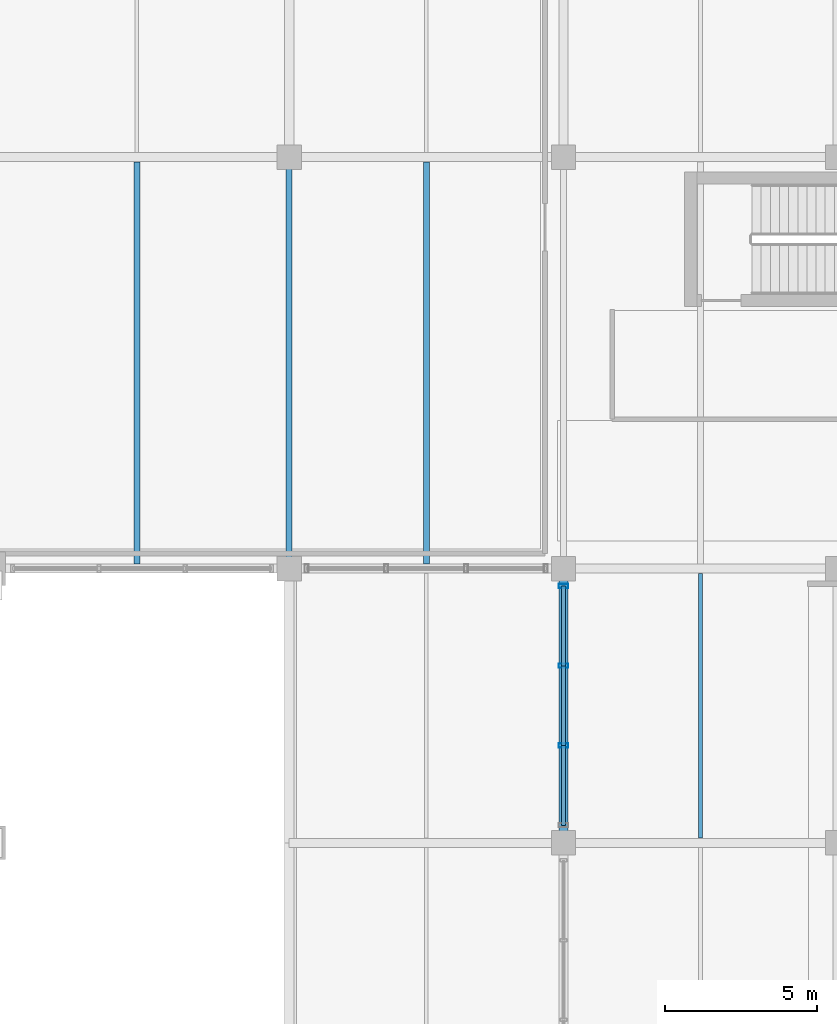
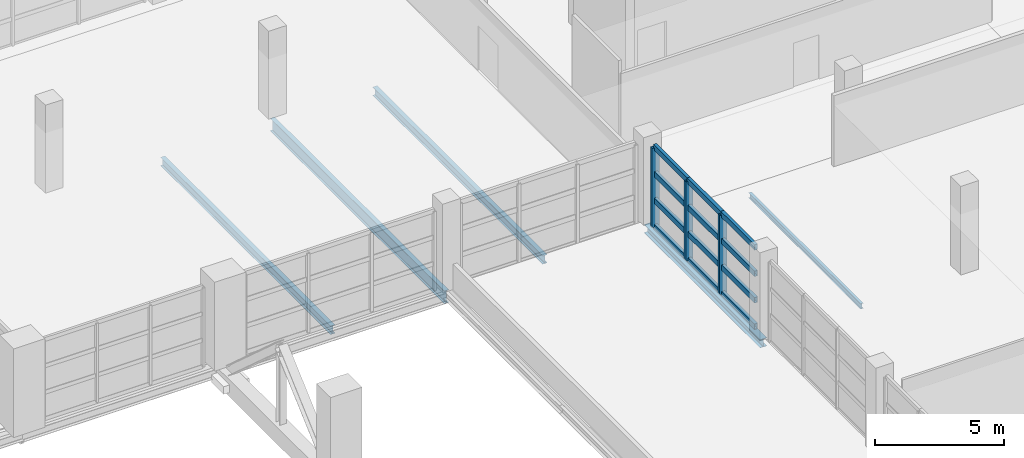
# One storey, part 87 of 136: 15 members, 5 beams, 1 element without a shape of its own.
"""IFC4 building model written with IfcOpenShell, lengths in metres."""

from ifc_helpers import new_model, si_unit, direction, frame, origin, origin_2d, place, context, subcontext, project, spatial, hollow_rectangle, i_section, extrude, material, material_profile, profile_set, type_object, element, aggregate, save


model = new_model("IFC4")

# Units and contexts
model_context = context("Model", 3, precision=1e-05, world=origin(), true_north=direction((0.0, 1.0)))
body_context = subcontext(model_context, "Body", "Model", "MODEL_VIEW")
ifc_project = project(units=[si_unit("LENGTHUNIT", "METRE"), si_unit("AREAUNIT", "SQUARE_METRE"), si_unit("VOLUMEUNIT", "CUBIC_METRE"), si_unit("PLANEANGLEUNIT", "RADIAN"), si_unit("MASSUNIT", "GRAM", prefix="KILO")], contexts=[model_context])

# Site, building, storey
site_placement = place(None, origin())
site = spatial("IfcSite", under=ifc_project, at=site_placement, CompositionType="ELEMENT")
building_placement = place(site_placement, origin())
building = spatial("IfcBuilding", under=site, at=building_placement, Name="Chuanluo Vaults Station", CompositionType="ELEMENT")
storey_placement = place(building_placement, frame((0.0, 0.0, 6.60009765625)))
storey = spatial("IfcBuildingStorey", under=building, at=storey_placement, Name="L01", CompositionType="ELEMENT", Elevation=6.60009765625)

# Beams
ifc_material_1 = material(Name="Steel Q355C", Category="steel")
ifc_material_profile_1 = material_profile(ifc_material_1, i_section(OverallWidth=0.300048828125, OverallDepth=0.389892578125, WebThickness=0.010009765625, FlangeThickness=0.01611328125, FilletRadius=0.02001953125, at=origin_2d()))
ifc_profile_set_1 = profile_set([ifc_material_profile_1], Name="Steel Q355C")
beam_type_1 = type_object("IfcBeamType", Name="BM-GRD-400", PredefinedType="BEAM", material=ifc_profile_set_1)
beam_1_placement = place(storey_placement, frame((145.0, 94.5, -0.43505859375), z_axis=(0.0, 1.0, 0.0), x_axis=(-1.0, 0.0, 0.0)))
element("IfcBeam", 1, at=beam_1_placement, inside=storey, type_object=beam_type_1, Name="Floor girder BM:GY:L01:0474", PredefinedType="BEAM", context=body_context, shape_type="SweptSolid", body=[
    extrude(i_section(OverallWidth=0.300048828125, OverallDepth=0.389892578125, WebThickness=0.010009765625, FlangeThickness=0.01611328125, FilletRadius=0.02001953125, at=origin_2d()), origin(), (0.0, 0.0, 1.0), 9.0),
])
ifc_material_2 = material(Name="Steel Q355C", Category="steel")
ifc_material_profile_2 = material_profile(ifc_material_2, i_section(OverallWidth=0.199951171875, OverallDepth=0.60009765625, WebThickness=0.010986328125, FlangeThickness=0.01708984375, FilletRadius=0.01806640625, at=origin_2d()))
ifc_profile_set_2 = profile_set([ifc_material_profile_2], Name="Steel Q355C")
beam_type_2 = type_object("IfcBeamType", Name="BM-GRD-600", PredefinedType="USERDEFINED", material=ifc_profile_set_2)
beam_2_placement = place(storey_placement, frame((136.0, 103.5, -0.56005859375), z_axis=(0.0, 1.0, 0.0), x_axis=(-1.0, 0.0, 0.0)))
element("IfcBeam", 2, at=beam_2_placement, inside=storey, type_object=beam_type_2, Name="Floor girder BM:GY:L01:0464", ObjectType="GIRDER", PredefinedType="USERDEFINED", context=body_context, shape_type="SweptSolid", body=[
    extrude(i_section(OverallWidth=0.199951171875, OverallDepth=0.60009765625, WebThickness=0.010986328125, FlangeThickness=0.01708984375, FilletRadius=0.01806640625, at=origin_2d()), origin(), (0.0, 0.0, 1.0), 13.5),
])
ifc_material_3 = material(Name="Steel Q355C", Category="steel")
ifc_material_profile_3 = material_profile(ifc_material_3, i_section(OverallWidth=0.125, OverallDepth=0.25, WebThickness=0.006103515625, FlangeThickness=0.009033203125, FilletRadius=0.011962890625, at=origin_2d()))
ifc_profile_set_3 = profile_set([ifc_material_profile_3], Name="Steel Q355C")
beam_type_3 = type_object("IfcBeamType", Name="BM-SEC-250", PredefinedType="JOIST", material=ifc_profile_set_3)
beam_3_placement = place(storey_placement, frame((149.5, 94.655029296875, -0.364990234375), z_axis=(0.0, 1.0, 0.0), x_axis=(-1.0, 0.0, 0.0)))
element("IfcBeam", 3, at=beam_3_placement, inside=storey, type_object=beam_type_3, Name="Composite secondary joist 0165", PredefinedType="JOIST", context=body_context, shape_type="SweptSolid", body=[
    extrude(i_section(OverallWidth=0.125, OverallDepth=0.25, WebThickness=0.006103515625, FlangeThickness=0.009033203125, FilletRadius=0.011962890625, at=origin_2d()), origin(), (0.0, 0.0, 1.0), 8.68994140625),
])
ifc_material_4 = material(Name="Steel Q355C", Category="steel")
ifc_material_profile_4 = material_profile(ifc_material_4, i_section(OverallWidth=0.199951171875, OverallDepth=0.39990234375, WebThickness=0.008056640625, FlangeThickness=0.012939453125, FilletRadius=0.01611328125, at=origin_2d()))
ifc_profile_set_4 = profile_set([ifc_material_profile_4], Name="Steel Q355C")
beam_type_4 = type_object("IfcBeamType", Name="BM-SEC-400", PredefinedType="BEAM", material=ifc_profile_set_4)
for number, where, z_axis, x_axis, name in (
    (4, (131.0, 103.655029296875, -0.460205078125), (0.0, 1.0, 0.0), (-1.0, 0.0, 0.0), "Composite secondary joist 0145"),
    (5, (140.5, 103.655029296875, -0.460205078125), (0.0, 1.0, 0.0), (-1.0, 0.0, 0.0), "Composite secondary joist 0156"),
):
    element("IfcBeam", number, at=place(storey_placement, frame(where, z_axis=z_axis, x_axis=x_axis)), inside=storey, type_object=beam_type_4, Name=name, PredefinedType="BEAM", context=body_context, shape_type="SweptSolid", body=[
        extrude(i_section(OverallWidth=0.199951171875, OverallDepth=0.39990234375, WebThickness=0.008056640625, FlangeThickness=0.012939453125, FilletRadius=0.01611328125, at=origin_2d()), origin(), (0.0, 0.0, 1.0), 13.18994140625),
    ])

# Curtain wall, members
ifc_material_5 = material(Name="Anodised aluminium 6063-T6", Category="aluminium")
curtain_wall_type = type_object("IfcCurtainWallType", Name="CW-SYS-13", PredefinedType="NOTDEFINED", material=ifc_material_5)
curtain_wall_placement = place(storey_placement, origin())
curtain_wall = element("IfcCurtainWall", 6, at=curtain_wall_placement, inside=storey, type_object=curtain_wall_type, Name="Operations L01 facade CW", PredefinedType="NOTDEFINED")
ifc_material_6 = material(Name="Anodised aluminium 6063-T6", Category="aluminium")
ifc_material_profile_5 = material_profile(ifc_material_6, hollow_rectangle(XDim=0.139892578125, YDim=0.320068359375, WallThickness=0.008056640625, at=origin_2d()))
ifc_profile_set_5 = profile_set([ifc_material_profile_5], Name="Anodised aluminium 6063-T6")
member_type_1 = type_object("IfcMemberType", Name="CWM-220", PredefinedType="MULLION", material=ifc_profile_set_5)
member_1_placement = place(storey_placement, frame((145.0, 97.691650390625, 0.0), z_axis=(0.0, 0.0, 1.0), x_axis=(0.0, 1.0, 0.0)))
member_1 = element("IfcMember", 7, at=member_1_placement, type_object=member_type_1, Name="Operations L01 facade CW mullion 2", PredefinedType="MULLION", context=body_context, shape_type="SweptSolid", body=[
    extrude(hollow_rectangle(XDim=0.139892578125, YDim=0.320068359375, WallThickness=0.008056640625, at=origin_2d()), origin(), (0.0, 0.0, 1.0), 3.75),
])
member_2_placement = place(storey_placement, frame((145.0, 100.308349609375, 0.0), z_axis=(0.0, 0.0, 1.0), x_axis=(0.0, 1.0, 0.0)))
member_2 = element("IfcMember", 8, at=member_2_placement, type_object=member_type_1, Name="Operations L01 facade CW mullion 3", PredefinedType="MULLION", context=body_context, shape_type="SweptSolid", body=[
    extrude(hollow_rectangle(XDim=0.139892578125, YDim=0.320068359375, WallThickness=0.008056640625, at=origin_2d()), origin(), (0.0, 0.0, 1.0), 3.75),
])
member_3_placement = place(storey_placement, frame((145.0, 102.925048828125, 0.0), z_axis=(0.0, 0.0, 1.0), x_axis=(0.0, 1.0, 0.0)))
member_3 = element("IfcMember", 9, at=member_3_placement, type_object=member_type_1, Name="Operations L01 facade CW mullion 4", PredefinedType="MULLION", context=body_context, shape_type="SweptSolid", body=[
    extrude(hollow_rectangle(XDim=0.139892578125, YDim=0.320068359375, WallThickness=0.008056640625, at=origin_2d()), origin(), (0.0, 0.0, 1.0), 3.75),
])
ifc_material_7 = material(Name="Anodised aluminium 6063-T6", Category="aluminium")
ifc_material_profile_6 = material_profile(ifc_material_7, hollow_rectangle(XDim=0.139892578125, YDim=0.260009765625, WallThickness=0.007080078125, at=origin_2d()))
ifc_profile_set_6 = profile_set([ifc_material_profile_6], Name="Anodised aluminium 6063-T6")
member_type_2 = type_object("IfcMemberType", Name="CWT-180", PredefinedType="USERDEFINED", material=ifc_profile_set_6)
member_4_placement = place(storey_placement, frame((145.0, 95.074951171875, 0.0), z_axis=(0.0, 1.0, 0.0), x_axis=(-1.0, 0.0, 0.0)))
member_4 = element("IfcMember", 10, at=member_4_placement, type_object=member_type_2, Name="Operations L01 facade CW transom 1.1", ObjectType="TRANSOM", PredefinedType="USERDEFINED", context=body_context, shape_type="SweptSolid", body=[
    extrude(hollow_rectangle(XDim=0.139892578125, YDim=0.260009765625, WallThickness=0.007080078125, at=origin_2d()), origin(), (0.0, 0.0, 1.0), 2.61669921875),
])
member_5_placement = place(storey_placement, frame((145.0, 95.074951171875, 1.25), z_axis=(0.0, 1.0, 0.0), x_axis=(-1.0, 0.0, 0.0)))
member_5 = element("IfcMember", 11, at=member_5_placement, type_object=member_type_2, Name="Operations L01 facade CW transom 1.2", ObjectType="TRANSOM", PredefinedType="USERDEFINED", context=body_context, shape_type="SweptSolid", body=[
    extrude(hollow_rectangle(XDim=0.139892578125, YDim=0.260009765625, WallThickness=0.007080078125, at=origin_2d()), origin(), (0.0, 0.0, 1.0), 2.61669921875),
])
member_6_placement = place(storey_placement, frame((145.0, 95.074951171875, 2.5), z_axis=(0.0, 1.0, 0.0), x_axis=(-1.0, 0.0, 0.0)))
member_6 = element("IfcMember", 12, at=member_6_placement, type_object=member_type_2, Name="Operations L01 facade CW transom 1.3", ObjectType="TRANSOM", PredefinedType="USERDEFINED", context=body_context, shape_type="SweptSolid", body=[
    extrude(hollow_rectangle(XDim=0.139892578125, YDim=0.260009765625, WallThickness=0.007080078125, at=origin_2d()), origin(), (0.0, 0.0, 1.0), 2.61669921875),
])
member_7_placement = place(storey_placement, frame((145.0, 95.074951171875, 3.75), z_axis=(0.0, 1.0, 0.0), x_axis=(-1.0, 0.0, 0.0)))
member_7 = element("IfcMember", 13, at=member_7_placement, type_object=member_type_2, Name="Operations L01 facade CW transom 1.4", ObjectType="TRANSOM", PredefinedType="USERDEFINED", context=body_context, shape_type="SweptSolid", body=[
    extrude(hollow_rectangle(XDim=0.139892578125, YDim=0.260009765625, WallThickness=0.007080078125, at=origin_2d()), origin(), (0.0, 0.0, 1.0), 2.61669921875),
])
member_8_placement = place(storey_placement, frame((145.0, 97.691650390625, 0.0), z_axis=(0.0, 1.0, 0.0), x_axis=(-1.0, 0.0, 0.0)))
member_8 = element("IfcMember", 14, at=member_8_placement, type_object=member_type_2, Name="Operations L01 facade CW transom 2.1", ObjectType="TRANSOM", PredefinedType="USERDEFINED", context=body_context, shape_type="SweptSolid", body=[
    extrude(hollow_rectangle(XDim=0.139892578125, YDim=0.260009765625, WallThickness=0.007080078125, at=origin_2d()), origin(), (0.0, 0.0, 1.0), 2.61669921875),
])
member_9_placement = place(storey_placement, frame((145.0, 97.691650390625, 1.25), z_axis=(0.0, 1.0, 0.0), x_axis=(-1.0, 0.0, 0.0)))
member_9 = element("IfcMember", 15, at=member_9_placement, type_object=member_type_2, Name="Operations L01 facade CW transom 2.2", ObjectType="TRANSOM", PredefinedType="USERDEFINED", context=body_context, shape_type="SweptSolid", body=[
    extrude(hollow_rectangle(XDim=0.139892578125, YDim=0.260009765625, WallThickness=0.007080078125, at=origin_2d()), origin(), (0.0, 0.0, 1.0), 2.61669921875),
])
member_10_placement = place(storey_placement, frame((145.0, 97.691650390625, 2.5), z_axis=(0.0, 1.0, 0.0), x_axis=(-1.0, 0.0, 0.0)))
member_10 = element("IfcMember", 16, at=member_10_placement, type_object=member_type_2, Name="Operations L01 facade CW transom 2.3", ObjectType="TRANSOM", PredefinedType="USERDEFINED", context=body_context, shape_type="SweptSolid", body=[
    extrude(hollow_rectangle(XDim=0.139892578125, YDim=0.260009765625, WallThickness=0.007080078125, at=origin_2d()), origin(), (0.0, 0.0, 1.0), 2.61669921875),
])
member_11_placement = place(storey_placement, frame((145.0, 97.691650390625, 3.75), z_axis=(0.0, 1.0, 0.0), x_axis=(-1.0, 0.0, 0.0)))
member_11 = element("IfcMember", 17, at=member_11_placement, type_object=member_type_2, Name="Operations L01 facade CW transom 2.4", ObjectType="TRANSOM", PredefinedType="USERDEFINED", context=body_context, shape_type="SweptSolid", body=[
    extrude(hollow_rectangle(XDim=0.139892578125, YDim=0.260009765625, WallThickness=0.007080078125, at=origin_2d()), origin(), (0.0, 0.0, 1.0), 2.61669921875),
])
member_12_placement = place(storey_placement, frame((145.0, 100.308349609375, 0.0), z_axis=(0.0, 1.0, 0.0), x_axis=(-1.0, 0.0, 0.0)))
member_12 = element("IfcMember", 18, at=member_12_placement, type_object=member_type_2, Name="Operations L01 facade CW transom 3.1", ObjectType="TRANSOM", PredefinedType="USERDEFINED", context=body_context, shape_type="SweptSolid", body=[
    extrude(hollow_rectangle(XDim=0.139892578125, YDim=0.260009765625, WallThickness=0.007080078125, at=origin_2d()), origin(), (0.0, 0.0, 1.0), 2.61669921875),
])
member_13_placement = place(storey_placement, frame((145.0, 100.308349609375, 1.25), z_axis=(0.0, 1.0, 0.0), x_axis=(-1.0, 0.0, 0.0)))
member_13 = element("IfcMember", 19, at=member_13_placement, type_object=member_type_2, Name="Operations L01 facade CW transom 3.2", ObjectType="TRANSOM", PredefinedType="USERDEFINED", context=body_context, shape_type="SweptSolid", body=[
    extrude(hollow_rectangle(XDim=0.139892578125, YDim=0.260009765625, WallThickness=0.007080078125, at=origin_2d()), origin(), (0.0, 0.0, 1.0), 2.61669921875),
])
member_14_placement = place(storey_placement, frame((145.0, 100.308349609375, 2.5), z_axis=(0.0, 1.0, 0.0), x_axis=(-1.0, 0.0, 0.0)))
member_14 = element("IfcMember", 20, at=member_14_placement, type_object=member_type_2, Name="Operations L01 facade CW transom 3.3", ObjectType="TRANSOM", PredefinedType="USERDEFINED", context=body_context, shape_type="SweptSolid", body=[
    extrude(hollow_rectangle(XDim=0.139892578125, YDim=0.260009765625, WallThickness=0.007080078125, at=origin_2d()), origin(), (0.0, 0.0, 1.0), 2.61669921875),
])
member_15_placement = place(storey_placement, frame((145.0, 100.308349609375, 3.75), z_axis=(0.0, 1.0, 0.0), x_axis=(-1.0, 0.0, 0.0)))
member_15 = element("IfcMember", 21, at=member_15_placement, type_object=member_type_2, Name="Operations L01 facade CW transom 3.4", ObjectType="TRANSOM", PredefinedType="USERDEFINED", context=body_context, shape_type="SweptSolid", body=[
    extrude(hollow_rectangle(XDim=0.139892578125, YDim=0.260009765625, WallThickness=0.007080078125, at=origin_2d()), origin(), (0.0, 0.0, 1.0), 2.61669921875),
])
aggregate(curtain_wall, [member_1, member_2, member_3, member_4, member_5, member_6, member_7, member_8, member_9, member_10, member_11, member_12, member_13, member_14, member_15])

save(model, "model.ifc")
